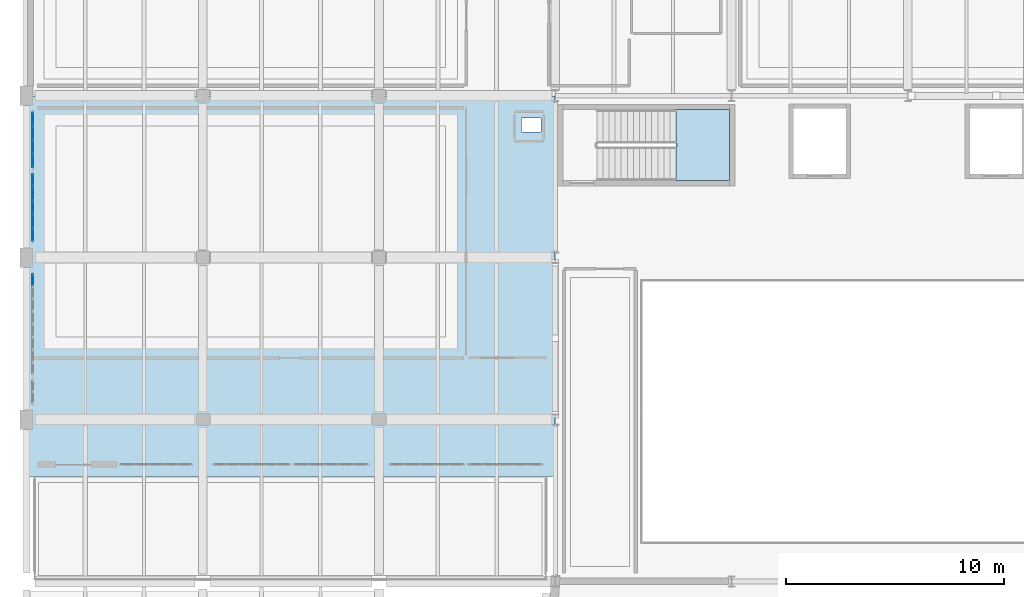
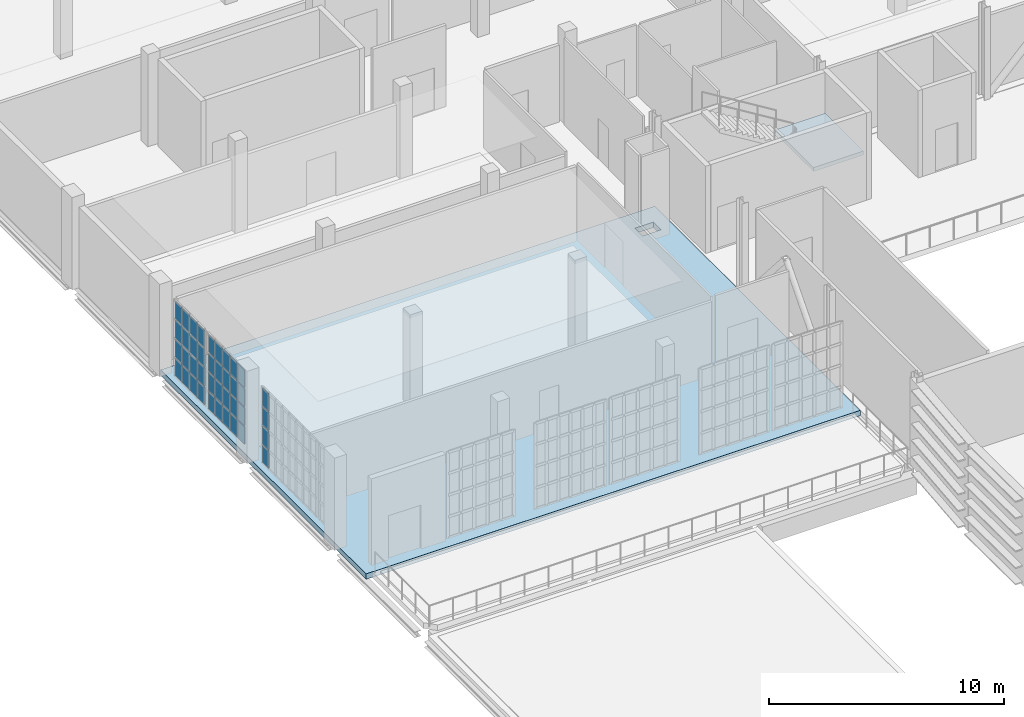
# One storey, part 71 of 104: 40 plates, 2 slabs, 4 elements without a shape of their own.
"""IFC4 building model written with IfcOpenShell, lengths in metres."""

from ifc_helpers import new_model, si_unit, direction, frame, origin, origin_2d, place, context, subcontext, project, spatial, polyline, rectangle, outline, extrude, material, layer, layer_set, type_object, element, aggregate, save


model = new_model("IFC4")

# Units and contexts
model_context = context("Model", 3, precision=1e-05, world=origin(), true_north=direction((0.0, 1.0)))
body_context = subcontext(model_context, "Body", "Model", "MODEL_VIEW")
ifc_project = project(units=[si_unit("LENGTHUNIT", "METRE"), si_unit("AREAUNIT", "SQUARE_METRE"), si_unit("VOLUMEUNIT", "CUBIC_METRE"), si_unit("PLANEANGLEUNIT", "RADIAN"), si_unit("MASSUNIT", "GRAM", prefix="KILO")], contexts=[model_context])

# Site, building, storey
site_placement = place(None, origin())
site = spatial("IfcSite", under=ifc_project, at=site_placement, CompositionType="ELEMENT")
building_placement = place(site_placement, origin())
building = spatial("IfcBuilding", under=site, at=building_placement, Name="Kaelora Sail Theatre", CompositionType="ELEMENT")
storey_placement = place(building_placement, frame((0.0, 0.0, 5.39990234375)))
storey = spatial("IfcBuildingStorey", under=building, at=storey_placement, Name="L01", CompositionType="ELEMENT", Elevation=5.39990234375)

# Curtain wall, plates
ifc_material_1 = material(Name="Anodised aluminium and solar-control low-E IGU", Category="aluminium")
curtain_wall_type = type_object("IfcCurtainWallType", Name="ARC-CW-CW-PROW", PredefinedType="NOTDEFINED", material=ifc_material_1)
curtain_wall_1_placement = place(storey_placement, origin())
curtain_wall_1 = element("IfcCurtainWall", 1, at=curtain_wall_1_placement, inside=storey, type_object=curtain_wall_type, Name="Glazed Colonnade/Courtyard Curtain Wall FW1-W-L01-02", PredefinedType="NOTDEFINED")
ifc_material_2 = material(Name="Solar-control laminated low-E glass", Category="glass")
ifc_layer_1 = layer(ifc_material_2, 0.031982421875)
ifc_layer_set_1 = layer_set([ifc_layer_1], Name="Solar-control laminated low-E glass")
plate_type = type_object("IfcPlateType", Name="ARC-CW-PNL", PredefinedType="CURTAIN_PANEL", material=ifc_layer_set_1)
plate_1_placement = place(storey_placement, frame((1.7900390625, 74.8818359375, 0.0703125), z_axis=(0.0, 0.0, 1.0), x_axis=(0.0, 1.0, 0.0)))
plate_1 = element("IfcPlate", 2, at=plate_1_placement, type_object=plate_type, Name="CW-PROW panel 8.1", PredefinedType="CURTAIN_PANEL", context=body_context, shape_type="SweptSolid", body=[
    extrude(rectangle(XDim=0.496337890625, YDim=0.031982421875, at=origin_2d()), origin(), (0.0, 0.0, 1.0), 0.891845703125),
])
plate_2_placement = place(storey_placement, frame((1.7900390625, 74.8818359375, 1.031982421875), z_axis=(0.0, 0.0, 1.0), x_axis=(0.0, 1.0, 0.0)))
plate_2 = element("IfcPlate", 3, at=plate_2_placement, type_object=plate_type, Name="CW-PROW panel 8.2", PredefinedType="CURTAIN_PANEL", context=body_context, shape_type="SweptSolid", body=[
    extrude(rectangle(XDim=0.496337890625, YDim=0.031982421875, at=origin_2d()), origin(), (0.0, 0.0, 1.0), 0.9267578125),
])
plate_3_placement = place(storey_placement, frame((1.7900390625, 74.8818359375, 2.028564453125), z_axis=(0.0, 0.0, 1.0), x_axis=(0.0, 1.0, 0.0)))
plate_3 = element("IfcPlate", 4, at=plate_3_placement, type_object=plate_type, Name="CW-PROW panel 8.3", PredefinedType="CURTAIN_PANEL", context=body_context, shape_type="SweptSolid", body=[
    extrude(rectangle(XDim=0.496337890625, YDim=0.031982421875, at=origin_2d()), origin(), (0.0, 0.0, 1.0), 0.9267578125),
])
plate_4_placement = place(storey_placement, frame((1.7900390625, 74.8818359375, 3.025390625), z_axis=(0.0, 0.0, 1.0), x_axis=(0.0, 1.0, 0.0)))
plate_4 = element("IfcPlate", 5, at=plate_4_placement, type_object=plate_type, Name="CW-PROW panel 8.4", PredefinedType="CURTAIN_PANEL", context=body_context, shape_type="SweptSolid", body=[
    extrude(rectangle(XDim=0.496337890625, YDim=0.031982421875, at=origin_2d()), origin(), (0.0, 0.0, 1.0), 0.891845703125),
])
aggregate(curtain_wall_1, [plate_1, plate_2, plate_3, plate_4])

curtain_wall_2_placement = place(storey_placement, origin())
curtain_wall_2 = element("IfcCurtainWall", 6, at=curtain_wall_2_placement, inside=storey, type_object=curtain_wall_type, Name="Glazed Colonnade/Courtyard Curtain Wall FW1-W-L01-03", PredefinedType="NOTDEFINED")
plate_5_placement = place(storey_placement, frame((1.7900390625, 76.944091796875, 0.0703125), z_axis=(0.0, 0.0, 1.0), x_axis=(0.0, 1.0, 0.0)))
plate_5 = element("IfcPlate", 7, at=plate_5_placement, type_object=plate_type, Name="CW-PROW panel 1.1", PredefinedType="CURTAIN_PANEL", context=body_context, shape_type="SweptSolid", body=[
    extrude(rectangle(XDim=0.548095703125, YDim=0.031982421875, at=origin_2d()), origin(), (0.0, 0.0, 1.0), 0.891845703125),
])
plate_6_placement = place(storey_placement, frame((1.7900390625, 76.944091796875, 1.031982421875), z_axis=(0.0, 0.0, 1.0), x_axis=(0.0, 1.0, 0.0)))
plate_6 = element("IfcPlate", 8, at=plate_6_placement, type_object=plate_type, Name="CW-PROW panel 1.2", PredefinedType="CURTAIN_PANEL", context=body_context, shape_type="SweptSolid", body=[
    extrude(rectangle(XDim=0.548095703125, YDim=0.031982421875, at=origin_2d()), origin(), (0.0, 0.0, 1.0), 0.9267578125),
])
plate_7_placement = place(storey_placement, frame((1.7900390625, 76.944091796875, 2.028564453125), z_axis=(0.0, 0.0, 1.0), x_axis=(0.0, 1.0, 0.0)))
plate_7 = element("IfcPlate", 9, at=plate_7_placement, type_object=plate_type, Name="CW-PROW panel 1.3", PredefinedType="CURTAIN_PANEL", context=body_context, shape_type="SweptSolid", body=[
    extrude(rectangle(XDim=0.548095703125, YDim=0.031982421875, at=origin_2d()), origin(), (0.0, 0.0, 1.0), 0.9267578125),
])
plate_8_placement = place(storey_placement, frame((1.7900390625, 76.944091796875, 3.025390625), z_axis=(0.0, 0.0, 1.0), x_axis=(0.0, 1.0, 0.0)))
plate_8 = element("IfcPlate", 10, at=plate_8_placement, type_object=plate_type, Name="CW-PROW panel 1.4", PredefinedType="CURTAIN_PANEL", context=body_context, shape_type="SweptSolid", body=[
    extrude(rectangle(XDim=0.548095703125, YDim=0.031982421875, at=origin_2d()), origin(), (0.0, 0.0, 1.0), 0.891845703125),
])
plate_9_placement = place(storey_placement, frame((1.7900390625, 77.56689453125, 0.0703125), z_axis=(0.0, 0.0, 1.0), x_axis=(0.0, 1.0, 0.0)))
plate_9 = element("IfcPlate", 11, at=plate_9_placement, type_object=plate_type, Name="CW-PROW panel 2.1", PredefinedType="CURTAIN_PANEL", context=body_context, shape_type="SweptSolid", body=[
    extrude(rectangle(XDim=0.577880859375, YDim=0.031982421875, at=origin_2d()), origin(), (0.0, 0.0, 1.0), 0.891845703125),
])
plate_10_placement = place(storey_placement, frame((1.7900390625, 77.56689453125, 1.031982421875), z_axis=(0.0, 0.0, 1.0), x_axis=(0.0, 1.0, 0.0)))
plate_10 = element("IfcPlate", 12, at=plate_10_placement, type_object=plate_type, Name="CW-PROW panel 2.2", PredefinedType="CURTAIN_PANEL", context=body_context, shape_type="SweptSolid", body=[
    extrude(rectangle(XDim=0.577880859375, YDim=0.031982421875, at=origin_2d()), origin(), (0.0, 0.0, 1.0), 0.9267578125),
])
plate_11_placement = place(storey_placement, frame((1.7900390625, 77.56689453125, 2.028564453125), z_axis=(0.0, 0.0, 1.0), x_axis=(0.0, 1.0, 0.0)))
plate_11 = element("IfcPlate", 13, at=plate_11_placement, type_object=plate_type, Name="CW-PROW panel 2.3", PredefinedType="CURTAIN_PANEL", context=body_context, shape_type="SweptSolid", body=[
    extrude(rectangle(XDim=0.577880859375, YDim=0.031982421875, at=origin_2d()), origin(), (0.0, 0.0, 1.0), 0.9267578125),
])
plate_12_placement = place(storey_placement, frame((1.7900390625, 77.56689453125, 3.025390625), z_axis=(0.0, 0.0, 1.0), x_axis=(0.0, 1.0, 0.0)))
plate_12 = element("IfcPlate", 14, at=plate_12_placement, type_object=plate_type, Name="CW-PROW panel 2.4", PredefinedType="CURTAIN_PANEL", context=body_context, shape_type="SweptSolid", body=[
    extrude(rectangle(XDim=0.577880859375, YDim=0.031982421875, at=origin_2d()), origin(), (0.0, 0.0, 1.0), 0.891845703125),
])
plate_13_placement = place(storey_placement, frame((1.7900390625, 78.205078125, 0.0703125), z_axis=(0.0, 0.0, 1.0), x_axis=(0.0, 1.0, 0.0)))
plate_13 = element("IfcPlate", 15, at=plate_13_placement, type_object=plate_type, Name="CW-PROW panel 3.1", PredefinedType="CURTAIN_PANEL", context=body_context, shape_type="SweptSolid", body=[
    extrude(rectangle(XDim=0.577880859375, YDim=0.031982421875, at=origin_2d()), origin(), (0.0, 0.0, 1.0), 0.891845703125),
])
plate_14_placement = place(storey_placement, frame((1.7900390625, 78.205078125, 1.031982421875), z_axis=(0.0, 0.0, 1.0), x_axis=(0.0, 1.0, 0.0)))
plate_14 = element("IfcPlate", 16, at=plate_14_placement, type_object=plate_type, Name="CW-PROW panel 3.2", PredefinedType="CURTAIN_PANEL", context=body_context, shape_type="SweptSolid", body=[
    extrude(rectangle(XDim=0.577880859375, YDim=0.031982421875, at=origin_2d()), origin(), (0.0, 0.0, 1.0), 0.9267578125),
])
plate_15_placement = place(storey_placement, frame((1.7900390625, 78.205078125, 2.028564453125), z_axis=(0.0, 0.0, 1.0), x_axis=(0.0, 1.0, 0.0)))
plate_15 = element("IfcPlate", 17, at=plate_15_placement, type_object=plate_type, Name="CW-PROW panel 3.3", PredefinedType="CURTAIN_PANEL", context=body_context, shape_type="SweptSolid", body=[
    extrude(rectangle(XDim=0.577880859375, YDim=0.031982421875, at=origin_2d()), origin(), (0.0, 0.0, 1.0), 0.9267578125),
])
plate_16_placement = place(storey_placement, frame((1.7900390625, 78.205078125, 3.025390625), z_axis=(0.0, 0.0, 1.0), x_axis=(0.0, 1.0, 0.0)))
plate_16 = element("IfcPlate", 18, at=plate_16_placement, type_object=plate_type, Name="CW-PROW panel 3.4", PredefinedType="CURTAIN_PANEL", context=body_context, shape_type="SweptSolid", body=[
    extrude(rectangle(XDim=0.577880859375, YDim=0.031982421875, at=origin_2d()), origin(), (0.0, 0.0, 1.0), 0.891845703125),
])
plate_17_placement = place(storey_placement, frame((1.7900390625, 78.843017578125, 0.0703125), z_axis=(0.0, 0.0, 1.0), x_axis=(0.0, 1.0, 0.0)))
plate_17 = element("IfcPlate", 19, at=plate_17_placement, type_object=plate_type, Name="CW-PROW panel 4.1", PredefinedType="CURTAIN_PANEL", context=body_context, shape_type="SweptSolid", body=[
    extrude(rectangle(XDim=0.577880859375, YDim=0.031982421875, at=origin_2d()), origin(), (0.0, 0.0, 1.0), 0.891845703125),
])
plate_18_placement = place(storey_placement, frame((1.7900390625, 78.843017578125, 1.031982421875), z_axis=(0.0, 0.0, 1.0), x_axis=(0.0, 1.0, 0.0)))
plate_18 = element("IfcPlate", 20, at=plate_18_placement, type_object=plate_type, Name="CW-PROW panel 4.2", PredefinedType="CURTAIN_PANEL", context=body_context, shape_type="SweptSolid", body=[
    extrude(rectangle(XDim=0.577880859375, YDim=0.031982421875, at=origin_2d()), origin(), (0.0, 0.0, 1.0), 0.9267578125),
])
plate_19_placement = place(storey_placement, frame((1.7900390625, 78.843017578125, 2.028564453125), z_axis=(0.0, 0.0, 1.0), x_axis=(0.0, 1.0, 0.0)))
plate_19 = element("IfcPlate", 21, at=plate_19_placement, type_object=plate_type, Name="CW-PROW panel 4.3", PredefinedType="CURTAIN_PANEL", context=body_context, shape_type="SweptSolid", body=[
    extrude(rectangle(XDim=0.577880859375, YDim=0.031982421875, at=origin_2d()), origin(), (0.0, 0.0, 1.0), 0.9267578125),
])
plate_20_placement = place(storey_placement, frame((1.7900390625, 78.843017578125, 3.025390625), z_axis=(0.0, 0.0, 1.0), x_axis=(0.0, 1.0, 0.0)))
plate_20 = element("IfcPlate", 22, at=plate_20_placement, type_object=plate_type, Name="CW-PROW panel 4.4", PredefinedType="CURTAIN_PANEL", context=body_context, shape_type="SweptSolid", body=[
    extrude(rectangle(XDim=0.577880859375, YDim=0.031982421875, at=origin_2d()), origin(), (0.0, 0.0, 1.0), 0.891845703125),
])
plate_21_placement = place(storey_placement, frame((1.7900390625, 79.466064453125, 0.0703125), z_axis=(0.0, 0.0, 1.0), x_axis=(0.0, 1.0, 0.0)))
plate_21 = element("IfcPlate", 23, at=plate_21_placement, type_object=plate_type, Name="CW-PROW panel 5.1", PredefinedType="CURTAIN_PANEL", context=body_context, shape_type="SweptSolid", body=[
    extrude(rectangle(XDim=0.548095703125, YDim=0.031982421875, at=origin_2d()), origin(), (0.0, 0.0, 1.0), 0.891845703125),
])
plate_22_placement = place(storey_placement, frame((1.7900390625, 79.466064453125, 1.031982421875), z_axis=(0.0, 0.0, 1.0), x_axis=(0.0, 1.0, 0.0)))
plate_22 = element("IfcPlate", 24, at=plate_22_placement, type_object=plate_type, Name="CW-PROW panel 5.2", PredefinedType="CURTAIN_PANEL", context=body_context, shape_type="SweptSolid", body=[
    extrude(rectangle(XDim=0.548095703125, YDim=0.031982421875, at=origin_2d()), origin(), (0.0, 0.0, 1.0), 0.9267578125),
])
plate_23_placement = place(storey_placement, frame((1.7900390625, 79.466064453125, 2.028564453125), z_axis=(0.0, 0.0, 1.0), x_axis=(0.0, 1.0, 0.0)))
plate_23 = element("IfcPlate", 25, at=plate_23_placement, type_object=plate_type, Name="CW-PROW panel 5.3", PredefinedType="CURTAIN_PANEL", context=body_context, shape_type="SweptSolid", body=[
    extrude(rectangle(XDim=0.548095703125, YDim=0.031982421875, at=origin_2d()), origin(), (0.0, 0.0, 1.0), 0.9267578125),
])
plate_24_placement = place(storey_placement, frame((1.7900390625, 79.466064453125, 3.025390625), z_axis=(0.0, 0.0, 1.0), x_axis=(0.0, 1.0, 0.0)))
plate_24 = element("IfcPlate", 26, at=plate_24_placement, type_object=plate_type, Name="CW-PROW panel 5.4", PredefinedType="CURTAIN_PANEL", context=body_context, shape_type="SweptSolid", body=[
    extrude(rectangle(XDim=0.548095703125, YDim=0.031982421875, at=origin_2d()), origin(), (0.0, 0.0, 1.0), 0.891845703125),
])
aggregate(curtain_wall_2, [plate_5, plate_6, plate_7, plate_8, plate_9, plate_10, plate_11, plate_12, plate_13, plate_14, plate_15, plate_16, plate_17, plate_18, plate_19, plate_20, plate_21, plate_22, plate_23, plate_24])

curtain_wall_3_placement = place(storey_placement, origin())
curtain_wall_3 = element("IfcCurtainWall", 27, at=curtain_wall_3_placement, inside=storey, type_object=curtain_wall_type, Name="Glazed Colonnade/Courtyard Curtain Wall FW1-W-L01-04", PredefinedType="NOTDEFINED")
plate_25_placement = place(storey_placement, frame((1.7900390625, 80.34375, 0.0703125), z_axis=(0.0, 0.0, 1.0), x_axis=(0.0, 1.0, 0.0)))
plate_25 = element("IfcPlate", 28, at=plate_25_placement, type_object=plate_type, Name="CW-PROW panel 1.1", PredefinedType="CURTAIN_PANEL", context=body_context, shape_type="SweptSolid", body=[
    extrude(rectangle(XDim=0.5673828125, YDim=0.031982421875, at=origin_2d()), origin(), (0.0, 0.0, 1.0), 0.891845703125),
])
plate_26_placement = place(storey_placement, frame((1.7900390625, 80.34375, 1.031982421875), z_axis=(0.0, 0.0, 1.0), x_axis=(0.0, 1.0, 0.0)))
plate_26 = element("IfcPlate", 29, at=plate_26_placement, type_object=plate_type, Name="CW-PROW panel 1.2", PredefinedType="CURTAIN_PANEL", context=body_context, shape_type="SweptSolid", body=[
    extrude(rectangle(XDim=0.5673828125, YDim=0.031982421875, at=origin_2d()), origin(), (0.0, 0.0, 1.0), 0.9267578125),
])
plate_27_placement = place(storey_placement, frame((1.7900390625, 80.34375, 2.028564453125), z_axis=(0.0, 0.0, 1.0), x_axis=(0.0, 1.0, 0.0)))
plate_27 = element("IfcPlate", 30, at=plate_27_placement, type_object=plate_type, Name="CW-PROW panel 1.3", PredefinedType="CURTAIN_PANEL", context=body_context, shape_type="SweptSolid", body=[
    extrude(rectangle(XDim=0.5673828125, YDim=0.031982421875, at=origin_2d()), origin(), (0.0, 0.0, 1.0), 0.9267578125),
])
plate_28_placement = place(storey_placement, frame((1.7900390625, 80.34375, 3.025390625), z_axis=(0.0, 0.0, 1.0), x_axis=(0.0, 1.0, 0.0)))
plate_28 = element("IfcPlate", 31, at=plate_28_placement, type_object=plate_type, Name="CW-PROW panel 1.4", PredefinedType="CURTAIN_PANEL", context=body_context, shape_type="SweptSolid", body=[
    extrude(rectangle(XDim=0.5673828125, YDim=0.031982421875, at=origin_2d()), origin(), (0.0, 0.0, 1.0), 0.891845703125),
])
plate_29_placement = place(storey_placement, frame((1.7900390625, 80.986328125, 0.0703125), z_axis=(0.0, 0.0, 1.0), x_axis=(0.0, 1.0, 0.0)))
plate_29 = element("IfcPlate", 32, at=plate_29_placement, type_object=plate_type, Name="CW-PROW panel 2.1", PredefinedType="CURTAIN_PANEL", context=body_context, shape_type="SweptSolid", body=[
    extrude(rectangle(XDim=0.597412109375, YDim=0.031982421875, at=origin_2d()), origin(), (0.0, 0.0, 1.0), 0.891845703125),
])
plate_30_placement = place(storey_placement, frame((1.7900390625, 80.986328125, 1.031982421875), z_axis=(0.0, 0.0, 1.0), x_axis=(0.0, 1.0, 0.0)))
plate_30 = element("IfcPlate", 33, at=plate_30_placement, type_object=plate_type, Name="CW-PROW panel 2.2", PredefinedType="CURTAIN_PANEL", context=body_context, shape_type="SweptSolid", body=[
    extrude(rectangle(XDim=0.597412109375, YDim=0.031982421875, at=origin_2d()), origin(), (0.0, 0.0, 1.0), 0.9267578125),
])
plate_31_placement = place(storey_placement, frame((1.7900390625, 80.986328125, 2.028564453125), z_axis=(0.0, 0.0, 1.0), x_axis=(0.0, 1.0, 0.0)))
plate_31 = element("IfcPlate", 34, at=plate_31_placement, type_object=plate_type, Name="CW-PROW panel 2.3", PredefinedType="CURTAIN_PANEL", context=body_context, shape_type="SweptSolid", body=[
    extrude(rectangle(XDim=0.597412109375, YDim=0.031982421875, at=origin_2d()), origin(), (0.0, 0.0, 1.0), 0.9267578125),
])
plate_32_placement = place(storey_placement, frame((1.7900390625, 80.986328125, 3.025390625), z_axis=(0.0, 0.0, 1.0), x_axis=(0.0, 1.0, 0.0)))
plate_32 = element("IfcPlate", 35, at=plate_32_placement, type_object=plate_type, Name="CW-PROW panel 2.4", PredefinedType="CURTAIN_PANEL", context=body_context, shape_type="SweptSolid", body=[
    extrude(rectangle(XDim=0.597412109375, YDim=0.031982421875, at=origin_2d()), origin(), (0.0, 0.0, 1.0), 0.891845703125),
])
plate_33_placement = place(storey_placement, frame((1.7900390625, 81.643798828125, 0.0703125), z_axis=(0.0, 0.0, 1.0), x_axis=(0.0, 1.0, 0.0)))
plate_33 = element("IfcPlate", 36, at=plate_33_placement, type_object=plate_type, Name="CW-PROW panel 3.1", PredefinedType="CURTAIN_PANEL", context=body_context, shape_type="SweptSolid", body=[
    extrude(rectangle(XDim=0.597412109375, YDim=0.031982421875, at=origin_2d()), origin(), (0.0, 0.0, 1.0), 0.891845703125),
])
plate_34_placement = place(storey_placement, frame((1.7900390625, 81.643798828125, 1.031982421875), z_axis=(0.0, 0.0, 1.0), x_axis=(0.0, 1.0, 0.0)))
plate_34 = element("IfcPlate", 37, at=plate_34_placement, type_object=plate_type, Name="CW-PROW panel 3.2", PredefinedType="CURTAIN_PANEL", context=body_context, shape_type="SweptSolid", body=[
    extrude(rectangle(XDim=0.597412109375, YDim=0.031982421875, at=origin_2d()), origin(), (0.0, 0.0, 1.0), 0.9267578125),
])
plate_35_placement = place(storey_placement, frame((1.7900390625, 81.643798828125, 2.028564453125), z_axis=(0.0, 0.0, 1.0), x_axis=(0.0, 1.0, 0.0)))
plate_35 = element("IfcPlate", 38, at=plate_35_placement, type_object=plate_type, Name="CW-PROW panel 3.3", PredefinedType="CURTAIN_PANEL", context=body_context, shape_type="SweptSolid", body=[
    extrude(rectangle(XDim=0.597412109375, YDim=0.031982421875, at=origin_2d()), origin(), (0.0, 0.0, 1.0), 0.9267578125),
])
plate_36_placement = place(storey_placement, frame((1.7900390625, 81.643798828125, 3.025390625), z_axis=(0.0, 0.0, 1.0), x_axis=(0.0, 1.0, 0.0)))
plate_36 = element("IfcPlate", 39, at=plate_36_placement, type_object=plate_type, Name="CW-PROW panel 3.4", PredefinedType="CURTAIN_PANEL", context=body_context, shape_type="SweptSolid", body=[
    extrude(rectangle(XDim=0.597412109375, YDim=0.031982421875, at=origin_2d()), origin(), (0.0, 0.0, 1.0), 0.891845703125),
])
plate_37_placement = place(storey_placement, frame((1.7900390625, 82.2861328125, 0.0703125), z_axis=(0.0, 0.0, 1.0), x_axis=(0.0, 1.0, 0.0)))
plate_37 = element("IfcPlate", 40, at=plate_37_placement, type_object=plate_type, Name="CW-PROW panel 4.1", PredefinedType="CURTAIN_PANEL", context=body_context, shape_type="SweptSolid", body=[
    extrude(rectangle(XDim=0.5673828125, YDim=0.031982421875, at=origin_2d()), origin(), (0.0, 0.0, 1.0), 0.891845703125),
])
plate_38_placement = place(storey_placement, frame((1.7900390625, 82.2861328125, 1.031982421875), z_axis=(0.0, 0.0, 1.0), x_axis=(0.0, 1.0, 0.0)))
plate_38 = element("IfcPlate", 41, at=plate_38_placement, type_object=plate_type, Name="CW-PROW panel 4.2", PredefinedType="CURTAIN_PANEL", context=body_context, shape_type="SweptSolid", body=[
    extrude(rectangle(XDim=0.5673828125, YDim=0.031982421875, at=origin_2d()), origin(), (0.0, 0.0, 1.0), 0.9267578125),
])
plate_39_placement = place(storey_placement, frame((1.7900390625, 82.2861328125, 2.028564453125), z_axis=(0.0, 0.0, 1.0), x_axis=(0.0, 1.0, 0.0)))
plate_39 = element("IfcPlate", 42, at=plate_39_placement, type_object=plate_type, Name="CW-PROW panel 4.3", PredefinedType="CURTAIN_PANEL", context=body_context, shape_type="SweptSolid", body=[
    extrude(rectangle(XDim=0.5673828125, YDim=0.031982421875, at=origin_2d()), origin(), (0.0, 0.0, 1.0), 0.9267578125),
])
plate_40_placement = place(storey_placement, frame((1.7900390625, 82.2861328125, 3.025390625), z_axis=(0.0, 0.0, 1.0), x_axis=(0.0, 1.0, 0.0)))
plate_40 = element("IfcPlate", 43, at=plate_40_placement, type_object=plate_type, Name="CW-PROW panel 4.4", PredefinedType="CURTAIN_PANEL", context=body_context, shape_type="SweptSolid", body=[
    extrude(rectangle(XDim=0.5673828125, YDim=0.031982421875, at=origin_2d()), origin(), (0.0, 0.0, 1.0), 0.891845703125),
])
aggregate(curtain_wall_3, [plate_25, plate_26, plate_27, plate_28, plate_29, plate_30, plate_31, plate_32, plate_33, plate_34, plate_35, plate_36, plate_37, plate_38, plate_39, plate_40])

# Stair, slab
ifc_material_3 = material(Name="Concrete C40/50", Category="concrete")
stair_type = type_object("IfcStairType", Name="ARC-ST-ESC150", PredefinedType="HALF_TURN_STAIR", material=ifc_material_3)
stair_placement = place(storey_placement, origin())
stair = element("IfcStair", 44, at=stair_placement, inside=storey, type_object=stair_type, Name="L01 ST-K1", PredefinedType="HALF_TURN_STAIR")
ifc_material_4 = material(Name="Concrete C40/50", Category="concrete")
ifc_layer_2 = layer(ifc_material_4, 0.219970703125)
ifc_layer_set_2 = layer_set([ifc_layer_2], Name="Concrete C40/50")
slab_type_1 = type_object("IfcSlabType", Name="ARC-SLB-LND220", PredefinedType="LANDING", material=ifc_layer_set_2)
slab_1_placement = place(storey_placement, frame((0.0, 0.0, 2.2001953125)))
slab_1 = element("IfcSlab", 45, at=slab_1_placement, type_object=slab_type_1, Name="ST-K1 landing 1", PredefinedType="LANDING", context=body_context, shape_type="SweptSolid", body=[
    extrude(outline(polyline([(31.35009765625, 79.449951171875), (33.800048828125, 79.449951171875), (33.800048828125, 82.699951171875), (31.35009765625, 82.699951171875), (31.35009765625, 79.449951171875)])), origin(), (0.0, 0.0, 1.0), 0.199951171875),
])
aggregate(stair, [slab_1])

# Slab
ifc_material_5 = material(Name="Concrete C40/50", Category="concrete")
ifc_layer_3 = layer(ifc_material_5, 0.280029296875)
ifc_layer_set_3 = layer_set([ifc_layer_3], Name="Concrete C40/50")
slab_type_2 = type_object("IfcSlabType", Name="STR-SLB-SL-FL280", PredefinedType="FLOOR", material=ifc_layer_set_3)
slab_2_placement = place(storey_placement, frame((0.0, 0.0, -0.27978515625)))
element("IfcSlab", 46, at=slab_2_placement, inside=storey, type_object=slab_type_2, Name="Glazed Foyer floor slab FW1 (L01)", PredefinedType="FLOOR", context=body_context, shape_type="SweptSolid", body=[
    extrude(outline(polyline([(1.5, 65.8349609375), (25.784912109375, 65.8349609375), (25.784912109375, 83.324951171875), (1.5, 83.324951171875), (1.5, 65.8349609375)]), holes=[polyline([(24.235107421875, 81.675048828125), (25.135009765625, 81.675048828125), (25.135009765625, 82.324951171875), (24.235107421875, 82.324951171875), (24.235107421875, 81.675048828125)])]), origin(), (0.0, 0.0, 1.0), 0.27978515625),
])

save(model, "model.ifc")
